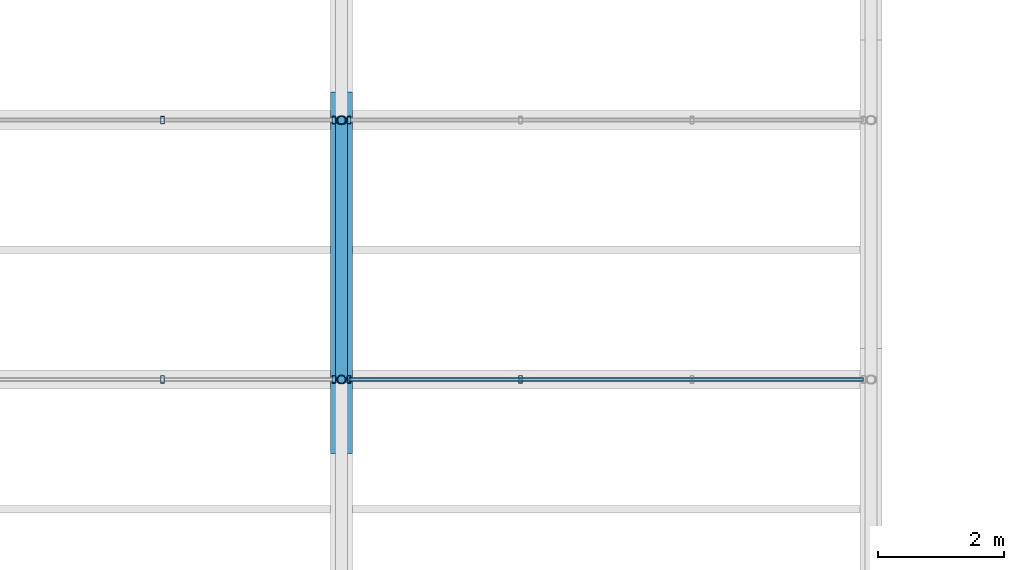
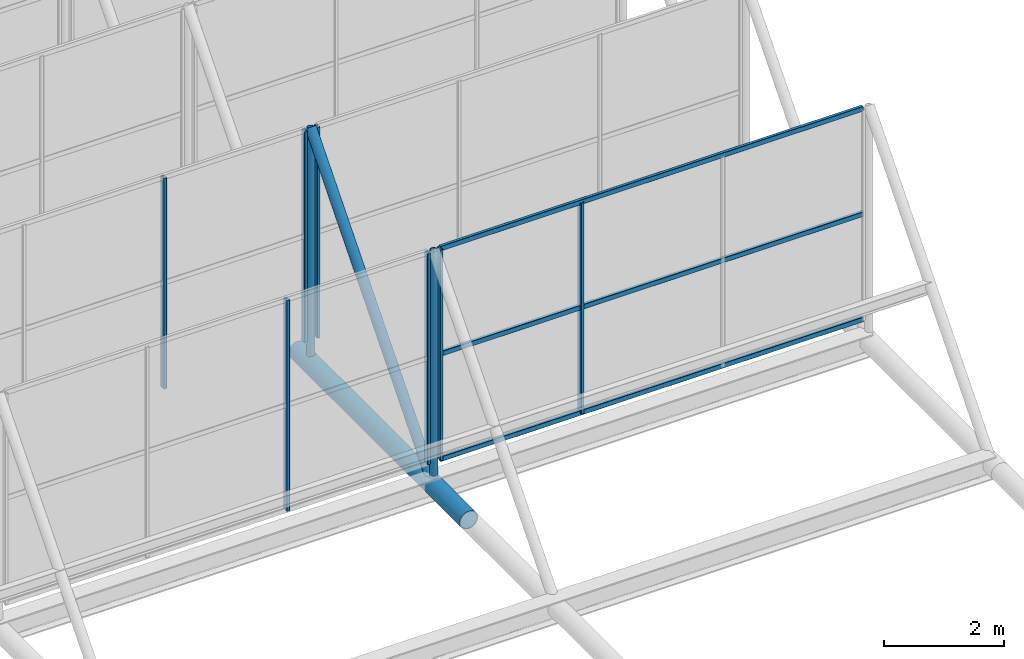
# One storey, part 41 of 77: 14 members, 4 elements without a shape of their own.
"""IFC4 building model written with IfcOpenShell, lengths in metres."""

from ifc_helpers import new_model, si_unit, derived_unit, direction, frame, origin, origin_2d, place, context, subcontext, project, spatial, hollow_rectangle, hollow_circle, extrude, material, material_profile, profile_set, type_object, element, aggregate, save


model = new_model("IFC4")

# Units and contexts
model_context = context("Model", 3, precision=1e-05, world=origin(), true_north=direction((0.0, 1.0)))
body_context = subcontext(model_context, "Body", "Model", "MODEL_VIEW")
ifc_project = project(units=[si_unit("LENGTHUNIT", "METRE"), si_unit("AREAUNIT", "SQUARE_METRE"), si_unit("VOLUMEUNIT", "CUBIC_METRE"), si_unit("PLANEANGLEUNIT", "RADIAN"), si_unit("MASSUNIT", "GRAM", prefix="KILO"), derived_unit("THERMALTRANSMITTANCEUNIT", [(si_unit("MASSUNIT", "GRAM", prefix="KILO"), 1), (si_unit("TIMEUNIT", "SECOND"), -3), (si_unit("THERMODYNAMICTEMPERATUREUNIT", "KELVIN"), -1)])], contexts=[model_context])

# Site, building, storey
site_placement = place(None, origin())
site = spatial("IfcSite", under=ifc_project, at=site_placement, CompositionType="ELEMENT")
building_placement = place(site_placement, origin())
building = spatial("IfcBuilding", under=site, at=building_placement, Name="Kharveza Railside Sports Centre", CompositionType="ELEMENT")
storey_placement = place(building_placement, frame((0.0, 0.0, 17.10009765625)))
storey = spatial("IfcBuildingStorey", under=building, at=storey_placement, Name="L04", CompositionType="ELEMENT", Elevation=17.10009765625)

# Curtain wall, members
ifc_material_1 = material(Name="Low-E solar-control laminated glass", Category="glass")
curtain_wall_type = type_object("IfcCurtainWallType", Name="CW-NL01", PredefinedType="NOTDEFINED", material=ifc_material_1)
curtain_wall_1_placement = place(storey_placement, origin())
curtain_wall_1 = element("IfcCurtainWall", 1, at=curtain_wall_1_placement, inside=storey, type_object=curtain_wall_type, Name="CW-V1NL-1-4", PredefinedType="NOTDEFINED")
ifc_material_2 = material(Name="Anodised aluminium 6063-T6", Category="aluminium")
ifc_material_profile_1 = material_profile(ifc_material_2, hollow_rectangle(XDim=0.06005859375, YDim=0.1201171875, WallThickness=0.0048828125, InnerFilletRadius=0.0048828125, OuterFilletRadius=0.010009765625, at=origin_2d()), Name="RHS 60x120x5.0")
ifc_profile_set_1 = profile_set([ifc_material_profile_1], Name="Anodised aluminium 6063-T6")
member_type_1 = type_object("IfcMemberType", Name="CW-ML05", PredefinedType="MULLION", material=ifc_profile_set_1)
member_1_placement = place(storey_placement, frame((64.360107421875, 40.1142578125, -0.550048828125), z_axis=(0.0, 0.0, 1.0), x_axis=(1.0, 0.0, 0.0)))
member_1 = element("IfcMember", 2, at=member_1_placement, type_object=member_type_1, Name="CW-V1NL-1-4-ML3", PredefinedType="MULLION", context=body_context, shape_type="SweptSolid", body=[
    extrude(hollow_rectangle(XDim=0.06005859375, YDim=0.1201171875, WallThickness=0.0048828125, InnerFilletRadius=0.0048828125, OuterFilletRadius=0.010009765625, at=origin_2d()), origin(), (0.0, 0.0, 1.0), 4.300048828125),
])
member_2_placement = place(storey_placement, frame((67.080078125, 40.1142578125, -0.550048828125), z_axis=(0.0, 0.0, 1.0), x_axis=(1.0, 0.0, 0.0)))
member_2 = element("IfcMember", 3, at=member_2_placement, type_object=member_type_1, Name="CW-V1NL-1-4-ML4", PredefinedType="MULLION", context=body_context, shape_type="SweptSolid", body=[
    extrude(hollow_rectangle(XDim=0.06005859375, YDim=0.1201171875, WallThickness=0.0048828125, InnerFilletRadius=0.0048828125, OuterFilletRadius=0.010009765625, at=origin_2d()), origin(), (0.0, 0.0, 1.0), 4.300048828125),
])
aggregate(curtain_wall_1, [member_1, member_2])

curtain_wall_2_placement = place(storey_placement, origin())
curtain_wall_2 = element("IfcCurtainWall", 4, at=curtain_wall_2_placement, inside=storey, type_object=curtain_wall_type, Name="CW-V1NL-1-5", PredefinedType="NOTDEFINED")
member_3_placement = place(storey_placement, frame((67.320068359375, 40.1142578125, -0.550048828125), z_axis=(0.0, 0.0, 1.0), x_axis=(1.0, 0.0, 0.0)))
member_3 = element("IfcMember", 5, at=member_3_placement, type_object=member_type_1, Name="CW-V1NL-1-5-ML1", PredefinedType="MULLION", context=body_context, shape_type="SweptSolid", body=[
    extrude(hollow_rectangle(XDim=0.06005859375, YDim=0.1201171875, WallThickness=0.0048828125, InnerFilletRadius=0.0048828125, OuterFilletRadius=0.010009765625, at=origin_2d()), origin(), (0.0, 0.0, 1.0), 4.300048828125),
])
member_4_placement = place(storey_placement, frame((70.0400390625, 40.1142578125, -0.550048828125), z_axis=(0.0, 0.0, 1.0), x_axis=(1.0, 0.0, 0.0)))
member_4 = element("IfcMember", 6, at=member_4_placement, type_object=member_type_1, Name="CW-V1NL-1-5-ML2", PredefinedType="MULLION", context=body_context, shape_type="SweptSolid", body=[
    extrude(hollow_rectangle(XDim=0.06005859375, YDim=0.1201171875, WallThickness=0.0048828125, InnerFilletRadius=0.0048828125, OuterFilletRadius=0.010009765625, at=origin_2d()), origin(), (0.0, 0.0, 1.0), 4.300048828125),
])

curtain_wall_3_placement = place(storey_placement, origin())
curtain_wall_3 = element("IfcCurtainWall", 7, at=curtain_wall_3_placement, inside=storey, type_object=curtain_wall_type, Name="CW-V1NL-2-4", PredefinedType="NOTDEFINED")
member_5_placement = place(storey_placement, frame((64.360107421875, 44.228515625, -0.550048828125), z_axis=(0.0, 0.0, 1.0), x_axis=(1.0, 0.0, 0.0)))
member_5 = element("IfcMember", 8, at=member_5_placement, type_object=member_type_1, Name="CW-V1NL-2-4-ML3", PredefinedType="MULLION", context=body_context, shape_type="SweptSolid", body=[
    extrude(hollow_rectangle(XDim=0.06005859375, YDim=0.1201171875, WallThickness=0.0048828125, InnerFilletRadius=0.0048828125, OuterFilletRadius=0.010009765625, at=origin_2d()), origin(), (0.0, 0.0, 1.0), 4.300048828125),
])
member_6_placement = place(storey_placement, frame((67.080078125, 44.228515625, -0.550048828125), z_axis=(0.0, 0.0, 1.0), x_axis=(1.0, 0.0, 0.0)))
member_6 = element("IfcMember", 9, at=member_6_placement, type_object=member_type_1, Name="CW-V1NL-2-4-ML4", PredefinedType="MULLION", context=body_context, shape_type="SweptSolid", body=[
    extrude(hollow_rectangle(XDim=0.06005859375, YDim=0.1201171875, WallThickness=0.0048828125, InnerFilletRadius=0.0048828125, OuterFilletRadius=0.010009765625, at=origin_2d()), origin(), (0.0, 0.0, 1.0), 4.300048828125),
])
aggregate(curtain_wall_3, [member_5, member_6])

# Curtain wall, member
curtain_wall_4_placement = place(storey_placement, origin())
curtain_wall_4 = element("IfcCurtainWall", 10, at=curtain_wall_4_placement, inside=storey, type_object=curtain_wall_type, Name="CW-V1NL-2-5", PredefinedType="NOTDEFINED")
member_7_placement = place(storey_placement, frame((67.320068359375, 44.228515625, -0.550048828125), z_axis=(0.0, 0.0, 1.0), x_axis=(1.0, 0.0, 0.0)))
member_7 = element("IfcMember", 11, at=member_7_placement, type_object=member_type_1, Name="CW-V1NL-2-5-ML1", PredefinedType="MULLION", context=body_context, shape_type="SweptSolid", body=[
    extrude(hollow_rectangle(XDim=0.06005859375, YDim=0.1201171875, WallThickness=0.0048828125, InnerFilletRadius=0.0048828125, OuterFilletRadius=0.010009765625, at=origin_2d()), origin(), (0.0, 0.0, 1.0), 4.300048828125),
])
aggregate(curtain_wall_4, [member_7])

# Member
ifc_material_profile_2 = material_profile(ifc_material_2, hollow_rectangle(XDim=0.06005859375, YDim=0.10009765625, WallThickness=0.00390625, InnerFilletRadius=0.00390625, OuterFilletRadius=0.008056640625, at=origin_2d()), Name="RHS 60x100x4.0")
ifc_profile_set_2 = profile_set([ifc_material_profile_2], Name="Anodised aluminium 6063-T6")
member_type_2 = type_object("IfcMemberType", Name="CW-TR05", PredefinedType="USERDEFINED", material=ifc_profile_set_2)
member_8_placement = place(storey_placement, frame((67.320068359375, 40.1142578125, -0.550048828125), z_axis=(1.0, 0.0, 0.0), x_axis=(0.0, 1.0, 0.0)))
member_8 = element("IfcMember", 12, at=member_8_placement, type_object=member_type_2, Name="CW-V1NL-1-5-TR1", ObjectType="TRANSOM", PredefinedType="USERDEFINED", context=body_context, shape_type="SweptSolid", body=[
    extrude(hollow_rectangle(XDim=0.06005859375, YDim=0.10009765625, WallThickness=0.00390625, InnerFilletRadius=0.00390625, OuterFilletRadius=0.008056640625, at=origin_2d()), origin(), (0.0, 0.0, 1.0), 8.159912109375),
])

member_9_placement = place(storey_placement, frame((67.320068359375, 40.1142578125, 1.599853515625), z_axis=(1.0, 0.0, 0.0), x_axis=(0.0, 1.0, 0.0)))
member_9 = element("IfcMember", 13, at=member_9_placement, type_object=member_type_2, Name="CW-V1NL-1-5-TR2", ObjectType="TRANSOM", PredefinedType="USERDEFINED", context=body_context, shape_type="SweptSolid", body=[
    extrude(hollow_rectangle(XDim=0.06005859375, YDim=0.10009765625, WallThickness=0.00390625, InnerFilletRadius=0.00390625, OuterFilletRadius=0.008056640625, at=origin_2d()), origin(), (0.0, 0.0, 1.0), 8.159912109375),
])

member_10_placement = place(storey_placement, frame((67.320068359375, 40.1142578125, 3.75), z_axis=(1.0, 0.0, 0.0), x_axis=(0.0, 1.0, 0.0)))
member_10 = element("IfcMember", 14, at=member_10_placement, type_object=member_type_2, Name="CW-V1NL-1-5-TR3", ObjectType="TRANSOM", PredefinedType="USERDEFINED", context=body_context, shape_type="SweptSolid", body=[
    extrude(hollow_rectangle(XDim=0.06005859375, YDim=0.10009765625, WallThickness=0.00390625, InnerFilletRadius=0.00390625, OuterFilletRadius=0.008056640625, at=origin_2d()), origin(), (0.0, 0.0, 1.0), 8.159912109375),
])

aggregate(curtain_wall_2, [member_3, member_4, member_8, member_9, member_10])

# Members
ifc_material_3 = material(Name="Steel S355J2", Category="steel")
ifc_material_profile_3 = material_profile(ifc_material_3, hollow_circle(Radius=0.177734375, WallThickness=0.01611328125, at=origin_2d()), Name="CHS 355.6x16.0")
ifc_profile_set_3 = profile_set([ifc_material_profile_3], Name="Steel S355J2")
member_type_3 = type_object("IfcMemberType", Name="MB-CH01", PredefinedType="CHORD", material=ifc_profile_set_3)
member_11_placement = place(storey_placement, frame((67.199951171875, 38.9423828125, -1.050048828125), z_axis=(0.0, 1.0, 0.0), x_axis=(-1.0, 0.0, 0.0)))
element("IfcMember", 15, at=member_11_placement, inside=storey, type_object=member_type_3, Name="MB-V1TR-TC-5-3", PredefinedType="CHORD", context=body_context, shape_type="SweptSolid", body=[
    extrude(hollow_circle(Radius=0.177734375, WallThickness=0.01611328125, at=origin_2d()), origin(), (0.0, 0.0, 1.0), 5.728759765625),
])
ifc_material_profile_4 = material_profile(ifc_material_3, hollow_circle(Radius=0.096923828125, WallThickness=0.010009765625, at=origin_2d()), Name="CHS 193.7x10.0")
ifc_profile_set_4 = profile_set([ifc_material_profile_4], Name="Steel S355J2")
member_type_4 = type_object("IfcMemberType", Name="MB-ST02", PredefinedType="STRUT", material=ifc_profile_set_4)
member_12_placement = place(storey_placement, frame((67.199951171875, 40.1142578125, -1.050048828125), z_axis=(0.0, 0.650003261435, 0.759931418039), x_axis=(-1.0, 0.0, 0.0)))
element("IfcMember", 16, at=member_12_placement, inside=storey, type_object=member_type_4, Name="MB-V1SAW-RFT-2-5", PredefinedType="STRUT", context=body_context, shape_type="SweptSolid", body=[
    extrude(hollow_circle(Radius=0.096923828125, WallThickness=0.010009765625, at=origin_2d()), origin(), (0.0, 0.0, 1.0), 6.32958984375),
])
ifc_material_profile_5 = material_profile(ifc_material_3, hollow_circle(Radius=0.06982421875, WallThickness=0.008056640625, at=origin_2d()), Name="CHS 139.7x8.0")
ifc_profile_set_5 = profile_set([ifc_material_profile_5], Name="Steel S355J2")
member_type_5 = type_object("IfcMemberType", Name="MB-ST04", PredefinedType="STRUT", material=ifc_profile_set_5)
for number, where, z_axis, x_axis, name in (
    (17, (67.199951171875, 40.1142578125, -1.050048828125), (0.0, 0.0, 1.0), (1.0, 0.0, 0.0), "MB-V1SAW-PST-1-5"),
    (18, (67.199951171875, 44.228515625, -1.050048828125), (0.0, 0.0, 1.0), (1.0, 0.0, 0.0), "MB-V1SAW-PST-2-5"),
):
    element("IfcMember", number, at=place(storey_placement, frame(where, z_axis=z_axis, x_axis=x_axis)), inside=storey, type_object=member_type_5, Name=name, PredefinedType="STRUT", context=body_context, shape_type="SweptSolid", body=[
        extrude(hollow_circle(Radius=0.06982421875, WallThickness=0.008056640625, at=origin_2d()), origin(), (0.0, 0.0, 1.0), 4.81005859375),
    ])

save(model, "model.ifc")
